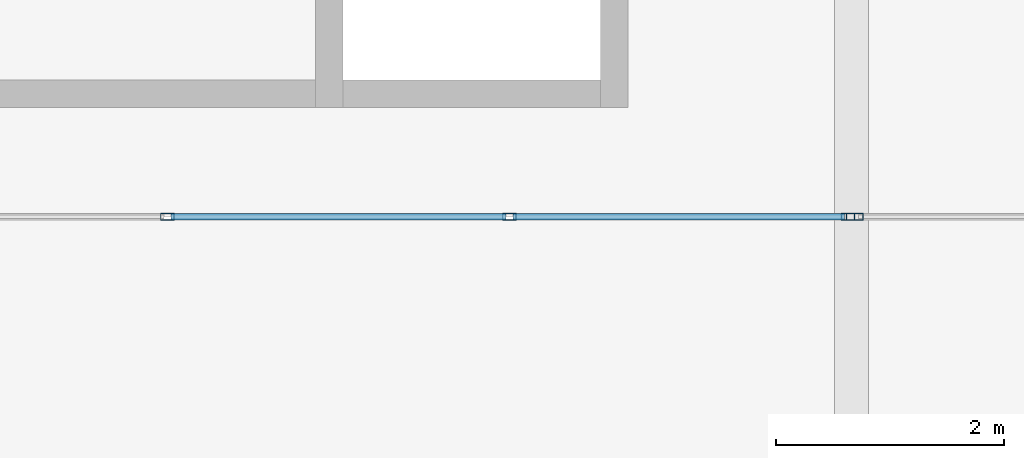
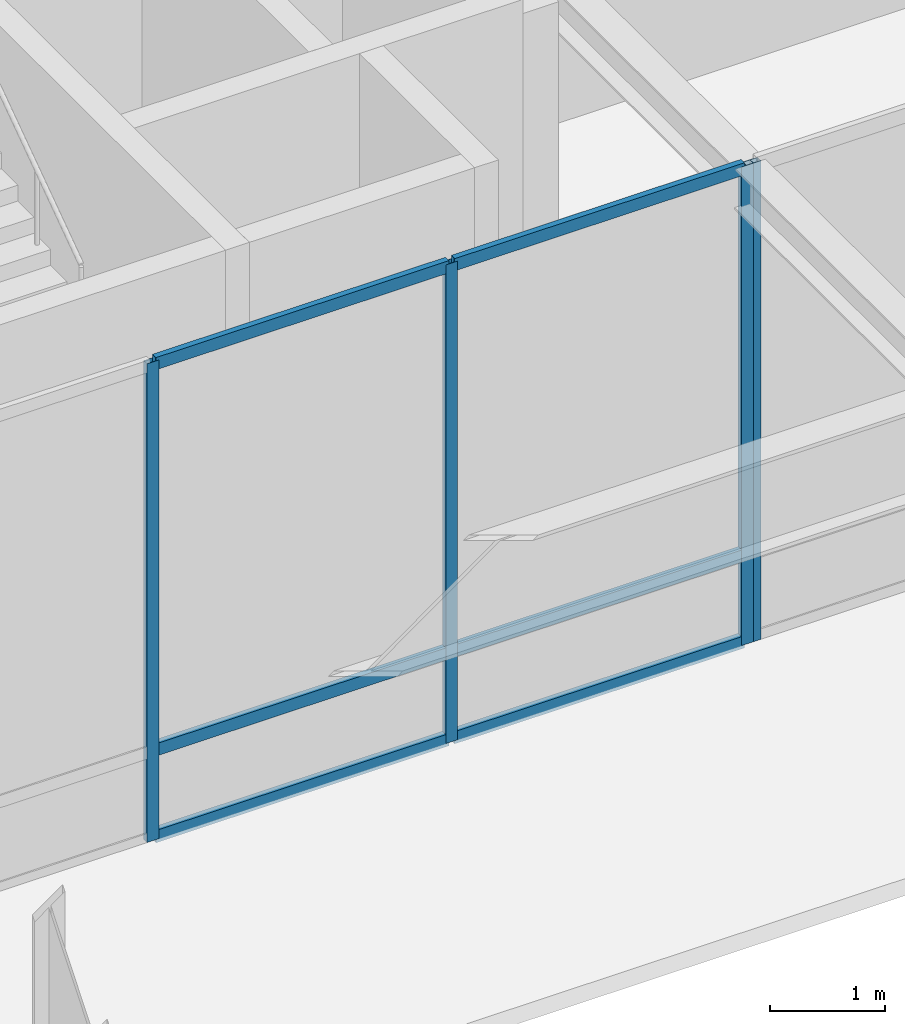
# One storey, part 23 of 143: 10 members, 2 elements without a shape of their own.
"""IFC4 building model written with IfcOpenShell, lengths in metres."""

from ifc_helpers import new_model, si_unit, direction, frame, origin, origin_2d, place, context, subcontext, project, spatial, hollow_rectangle, extrude, material, layer, layer_set, material_profile, profile_set, type_object, element, aggregate, save


model = new_model("IFC4")

# Units and contexts
model_context = context("Model", 3, precision=1e-05, world=origin(), true_north=direction((0.0, 1.0)))
body_context = subcontext(model_context, "Body", "Model", "MODEL_VIEW")
ifc_project = project(units=[si_unit("LENGTHUNIT", "METRE"), si_unit("AREAUNIT", "SQUARE_METRE"), si_unit("VOLUMEUNIT", "CUBIC_METRE"), si_unit("PLANEANGLEUNIT", "RADIAN"), si_unit("MASSUNIT", "GRAM", prefix="KILO")], contexts=[model_context])

# Site, building, storey
site_placement = place(None, origin())
site = spatial("IfcSite", under=ifc_project, at=site_placement, CompositionType="ELEMENT")
building_placement = place(site_placement, origin())
building = spatial("IfcBuilding", under=site, at=building_placement, Name="Montelvaro Courts of Justice", CompositionType="ELEMENT")
storey_placement = place(building_placement, origin())
storey = spatial("IfcBuildingStorey", under=building, at=storey_placement, Name="L00", CompositionType="ELEMENT", Elevation=0.0)

# Curtain wall, members
ifc_material = material(Name="Anodised aluminium EN AW-6063", Category="aluminium")
ifc_layer = layer(ifc_material, 0.159912109375)
ifc_layer_set = layer_set([ifc_layer], Name="Anodised aluminium EN AW-6063")
curtain_wall_type = type_object("IfcCurtainWallType", Name="CurtainWall_11_900x508", PredefinedType="USERDEFINED", material=ifc_layer_set)
curtain_wall_1_placement = place(storey_placement, origin())
curtain_wall_1 = element("IfcCurtainWall", 1, at=curtain_wall_1_placement, inside=storey, type_object=curtain_wall_type, Name="Curtain Wall CW-11 (L00)", ObjectType="CURTAIN WALL", PredefinedType="USERDEFINED")
ifc_material_profile_1 = material_profile(ifc_material, hollow_rectangle(XDim=0.06005859375, YDim=0.1201171875, WallThickness=0.00341796875, at=origin_2d()), Name="ALU-M 60x120")
ifc_profile_set_1 = profile_set([ifc_material_profile_1], Name="Anodised aluminium EN AW-6063")
member_type_1 = type_object("IfcMemberType", Name="CurtainWall_Mullion_60x120", PredefinedType="MULLION", material=ifc_profile_set_1)
member_1_placement = place(storey_placement, frame((57.0, 3.800048828125, 0.0), z_axis=(0.0, 0.0, 1.0), x_axis=(0.0, 1.0, 0.0)))
member_1 = element("IfcMember", 2, at=member_1_placement, type_object=member_type_1, Name="CW-11 mullion 2", PredefinedType="MULLION", context=body_context, shape_type="SweptSolid", body=[
    extrude(hollow_rectangle(XDim=0.06005859375, YDim=0.1201171875, WallThickness=0.00341796875, at=origin_2d()), origin(), (0.0, 0.0, 1.0), 5.080078125),
])
member_2_placement = place(storey_placement, frame((60.0, 3.800048828125, 0.0), z_axis=(0.0, 0.0, 1.0), x_axis=(0.0, 1.0, 0.0)))
member_2 = element("IfcMember", 3, at=member_2_placement, type_object=member_type_1, Name="CW-11 mullion 3", PredefinedType="MULLION", context=body_context, shape_type="SweptSolid", body=[
    extrude(hollow_rectangle(XDim=0.06005859375, YDim=0.1201171875, WallThickness=0.00341796875, at=origin_2d()), origin(), (0.0, 0.0, 1.0), 5.080078125),
])
member_3_placement = place(storey_placement, frame((62.969970703125, 3.800048828125, 0.0), z_axis=(0.0, 0.0, 1.0), x_axis=(0.0, 1.0, 0.0)))
member_3 = element("IfcMember", 4, at=member_3_placement, type_object=member_type_1, Name="CW-11 mullion 4", PredefinedType="MULLION", context=body_context, shape_type="SweptSolid", body=[
    extrude(hollow_rectangle(XDim=0.06005859375, YDim=0.1201171875, WallThickness=0.00341796875, at=origin_2d()), origin(), (0.0, 0.0, 1.0), 5.080078125),
])

# Curtain wall, member
curtain_wall_2_placement = place(storey_placement, origin())
curtain_wall_2 = element("IfcCurtainWall", 5, at=curtain_wall_2_placement, inside=storey, type_object=curtain_wall_type, Name="Curtain Wall CW-11 (L00)", ObjectType="CURTAIN WALL", PredefinedType="USERDEFINED")
ifc_material_profile_2 = material_profile(ifc_material, hollow_rectangle(XDim=0.06005859375, YDim=0.14990234375, WallThickness=0.00390625, at=origin_2d()), Name="ALU-M 60x150")
ifc_profile_set_2 = profile_set([ifc_material_profile_2], Name="Anodised aluminium EN AW-6063")
member_type_2 = type_object("IfcMemberType", Name="CurtainWall_Mullion_60x150", PredefinedType="MULLION", material=ifc_profile_set_2)
member_4_placement = place(storey_placement, frame((63.030029296875, 3.800048828125, 0.0), z_axis=(0.0, 0.0, 1.0), x_axis=(0.0, 1.0, 0.0)))
member_4 = element("IfcMember", 6, at=member_4_placement, type_object=member_type_2, Name="CW-11 mullion 1", PredefinedType="MULLION", context=body_context, shape_type="SweptSolid", body=[
    extrude(hollow_rectangle(XDim=0.06005859375, YDim=0.14990234375, WallThickness=0.00390625, at=origin_2d()), origin(), (0.0, 0.0, 1.0), 5.080078125),
])
aggregate(curtain_wall_2, [member_4])

# Member
ifc_material_profile_3 = material_profile(ifc_material, hollow_rectangle(XDim=0.06005859375, YDim=0.1298828125, WallThickness=0.00390625, at=origin_2d()), Name="ALU-T 60x130")
ifc_profile_set_3 = profile_set([ifc_material_profile_3], Name="Anodised aluminium EN AW-6063")
member_type_3 = type_object("IfcMemberType", Name="CurtainWall_Transom_60x130", PredefinedType="USERDEFINED", material=ifc_profile_set_3)
member_5_placement = place(storey_placement, frame((57.030029296875, 3.800048828125, 0.030029296875), z_axis=(1.0, 0.0, 0.0), x_axis=(0.0, 1.0, 0.0)))
member_5 = element("IfcMember", 7, at=member_5_placement, type_object=member_type_3, Name="CW-11 transom 2.1", ObjectType="TRANSOM", PredefinedType="USERDEFINED", context=body_context, shape_type="SweptSolid", body=[
    extrude(hollow_rectangle(XDim=0.06005859375, YDim=0.1298828125, WallThickness=0.00390625, at=origin_2d()), origin(), (0.0, 0.0, 1.0), 2.93994140625),
])

member_6_placement = place(storey_placement, frame((57.030029296875, 3.800048828125, 0.949951171875), z_axis=(1.0, 0.0, 0.0), x_axis=(0.0, 1.0, 0.0)))
member_6 = element("IfcMember", 8, at=member_6_placement, type_object=member_type_3, Name="CW-11 transom 2.2", ObjectType="TRANSOM", PredefinedType="USERDEFINED", context=body_context, shape_type="SweptSolid", body=[
    extrude(hollow_rectangle(XDim=0.06005859375, YDim=0.1298828125, WallThickness=0.00390625, at=origin_2d()), origin(), (0.0, 0.0, 1.0), 2.93994140625),
])

member_7_placement = place(storey_placement, frame((57.030029296875, 3.800048828125, 5.050048828125), z_axis=(1.0, 0.0, 0.0), x_axis=(0.0, 1.0, 0.0)))
member_7 = element("IfcMember", 9, at=member_7_placement, type_object=member_type_3, Name="CW-11 transom 2.3", ObjectType="TRANSOM", PredefinedType="USERDEFINED", context=body_context, shape_type="SweptSolid", body=[
    extrude(hollow_rectangle(XDim=0.06005859375, YDim=0.1298828125, WallThickness=0.00390625, at=origin_2d()), origin(), (0.0, 0.0, 1.0), 2.93994140625),
])

member_8_placement = place(storey_placement, frame((60.030029296875, 3.800048828125, 0.030029296875), z_axis=(1.0, 0.0, 0.0), x_axis=(0.0, 1.0, 0.0)))
member_8 = element("IfcMember", 10, at=member_8_placement, type_object=member_type_3, Name="CW-11 transom 3.1", ObjectType="TRANSOM", PredefinedType="USERDEFINED", context=body_context, shape_type="SweptSolid", body=[
    extrude(hollow_rectangle(XDim=0.06005859375, YDim=0.1298828125, WallThickness=0.00390625, at=origin_2d()), origin(), (0.0, 0.0, 1.0), 2.909912109375),
])

member_9_placement = place(storey_placement, frame((60.030029296875, 3.800048828125, 0.949951171875), z_axis=(1.0, 0.0, 0.0), x_axis=(0.0, 1.0, 0.0)))
member_9 = element("IfcMember", 11, at=member_9_placement, type_object=member_type_3, Name="CW-11 transom 3.2", ObjectType="TRANSOM", PredefinedType="USERDEFINED", context=body_context, shape_type="SweptSolid", body=[
    extrude(hollow_rectangle(XDim=0.06005859375, YDim=0.1298828125, WallThickness=0.00390625, at=origin_2d()), origin(), (0.0, 0.0, 1.0), 2.909912109375),
])

member_10_placement = place(storey_placement, frame((60.030029296875, 3.800048828125, 5.050048828125), z_axis=(1.0, 0.0, 0.0), x_axis=(0.0, 1.0, 0.0)))
member_10 = element("IfcMember", 12, at=member_10_placement, type_object=member_type_3, Name="CW-11 transom 3.3", ObjectType="TRANSOM", PredefinedType="USERDEFINED", context=body_context, shape_type="SweptSolid", body=[
    extrude(hollow_rectangle(XDim=0.06005859375, YDim=0.1298828125, WallThickness=0.00390625, at=origin_2d()), origin(), (0.0, 0.0, 1.0), 2.909912109375),
])

aggregate(curtain_wall_1, [member_1, member_2, member_3, member_5, member_6, member_7, member_8, member_9, member_10])

save(model, "model.ifc")
